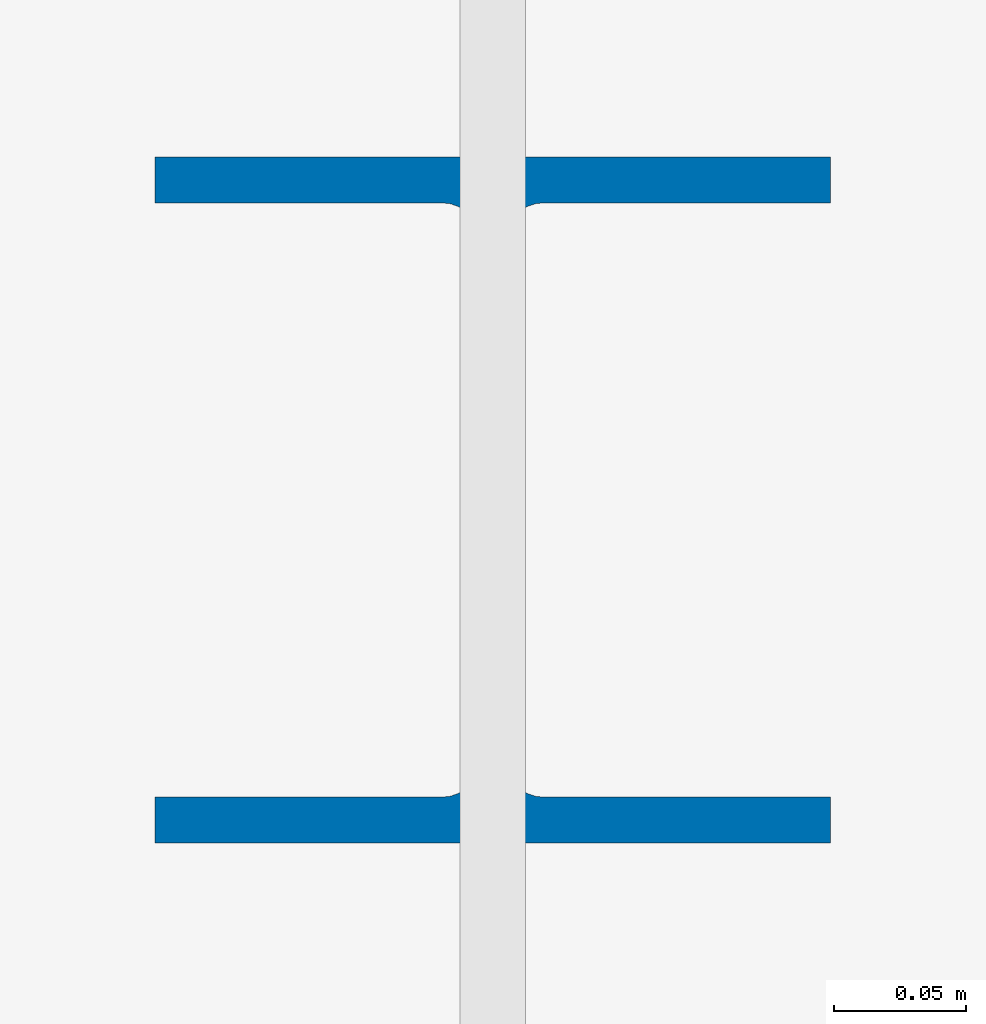
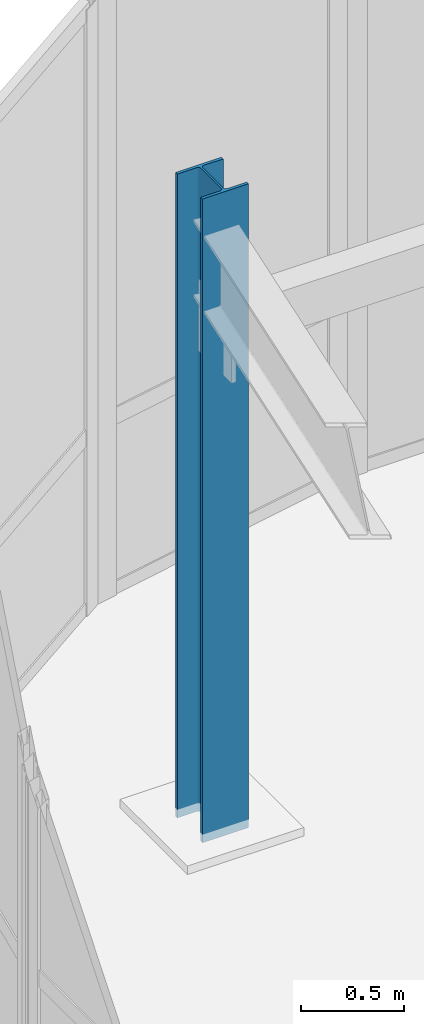
# One storey, part 4 of 35: 1 column.
"""IFC4 building model written with IfcOpenShell, lengths in metres."""

from ifc_helpers import new_model, si_unit, direction, frame, origin, origin_2d, place, context, subcontext, project, spatial, i_section, extrude, source, transform, mapped, material, material_profile, profile_set, type_object, type_shapes, element, save


model = new_model("IFC4")

# Units and contexts
model_context = context("Model", 3, precision=1e-05, world=origin(), true_north=direction((0.0, 1.0)))
body_context = subcontext(model_context, "Body", "Model", "MODEL_VIEW")
ifc_project = project(units=[si_unit("LENGTHUNIT", "METRE"), si_unit("AREAUNIT", "SQUARE_METRE"), si_unit("VOLUMEUNIT", "CUBIC_METRE"), si_unit("PLANEANGLEUNIT", "RADIAN"), si_unit("MASSUNIT", "GRAM", prefix="KILO")], contexts=[model_context])

# Site, building, storey
site_placement = place(None, origin())
site = spatial("IfcSite", under=ifc_project, at=site_placement, CompositionType="ELEMENT")
building_placement = place(site_placement, origin())
building = spatial("IfcBuilding", under=site, at=building_placement, Name="Tolvann Quenvar Hotel", CompositionType="ELEMENT")
storey_placement = place(building_placement, frame((0.0, 0.0, 290.949951171875)))
storey = spatial("IfcBuildingStorey", under=building, at=storey_placement, Name="L77", CompositionType="ELEMENT", Elevation=290.949951171875)

# Column
ifc_material = material(Name="Steel Grade 350", Category="steel")
ifc_material_profile = material_profile(ifc_material, i_section(OverallWidth=0.256103515625, OverallDepth=0.260009765625, WebThickness=0.010498046875, FlangeThickness=0.017333984375, FilletRadius=0.013916015625, at=origin_2d()), Name="250UC90")
ifc_profile_set = profile_set([ifc_material_profile], Name="Steel Grade 350")
column_type = type_object("IfcColumnType", Name="COL_250UC90", PredefinedType="COLUMN", material=ifc_profile_set)
shared_shape = source(origin(), body_context, "Body", "SweptSolid", [
    extrude(i_section(OverallWidth=0.256103515625, OverallDepth=0.260009765625, WebThickness=0.010498046875, FlangeThickness=0.017333984375, FilletRadius=0.013916015625, at=origin_2d()), origin(), (0.0, 0.0, 1.0), 3.800048828125),
])
type_shapes(column_type, [shared_shape])
column_placement = place(storey_placement, frame((5.800048828125, 41.89990234375, 0.0), z_axis=(0.0, 0.0, 1.0), x_axis=(1.0, 0.0, 0.0)))
element("IfcColumn", 1, at=column_placement, inside=storey, type_object=column_type, Name="Column BN (L77)", PredefinedType="COLUMN", context=body_context, shape_type="MappedRepresentation", body=[
    mapped(shared_shape, transform((0.0, 0.0, 0.0), x_axis=(1.0, 0.0, 0.0), y_axis=(0.0, 1.0, 0.0), z_axis=(0.0, 0.0, 1.0), scale=1.0)),
])

save(model, "model.ifc")
